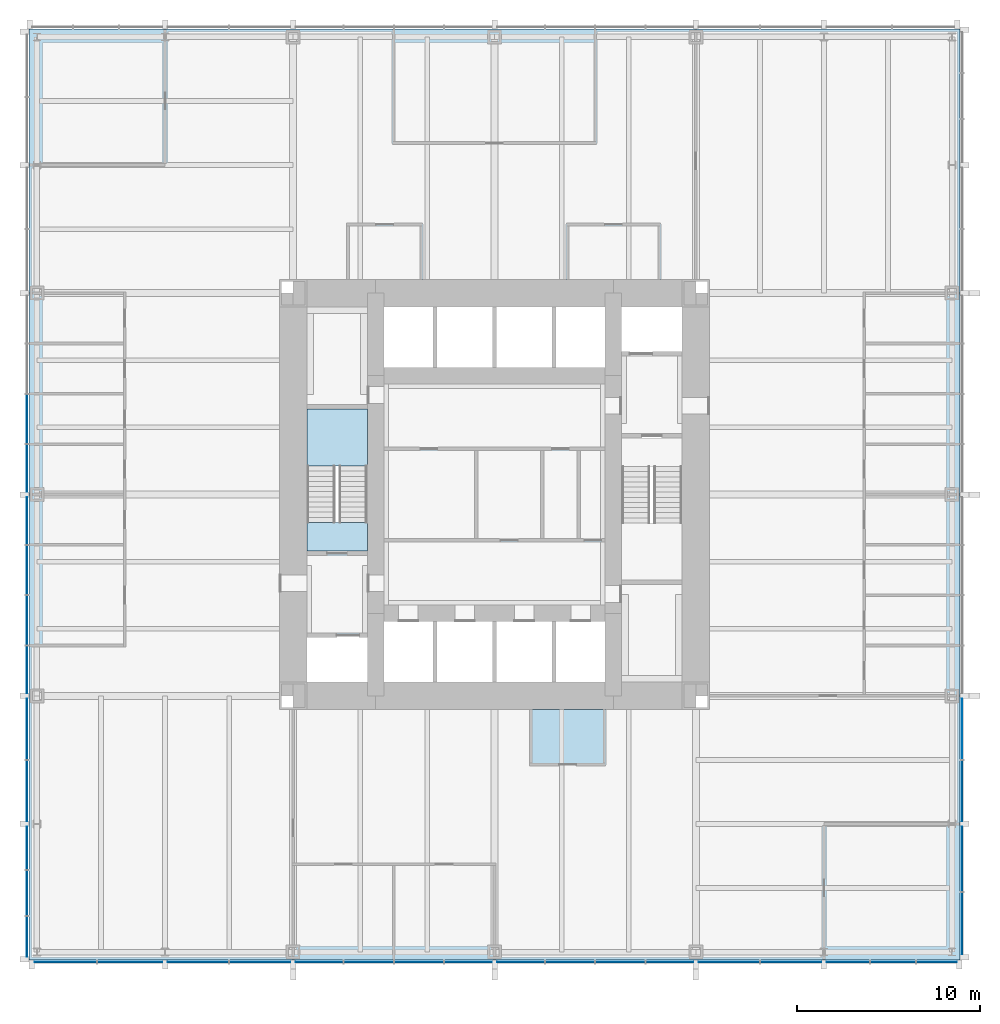
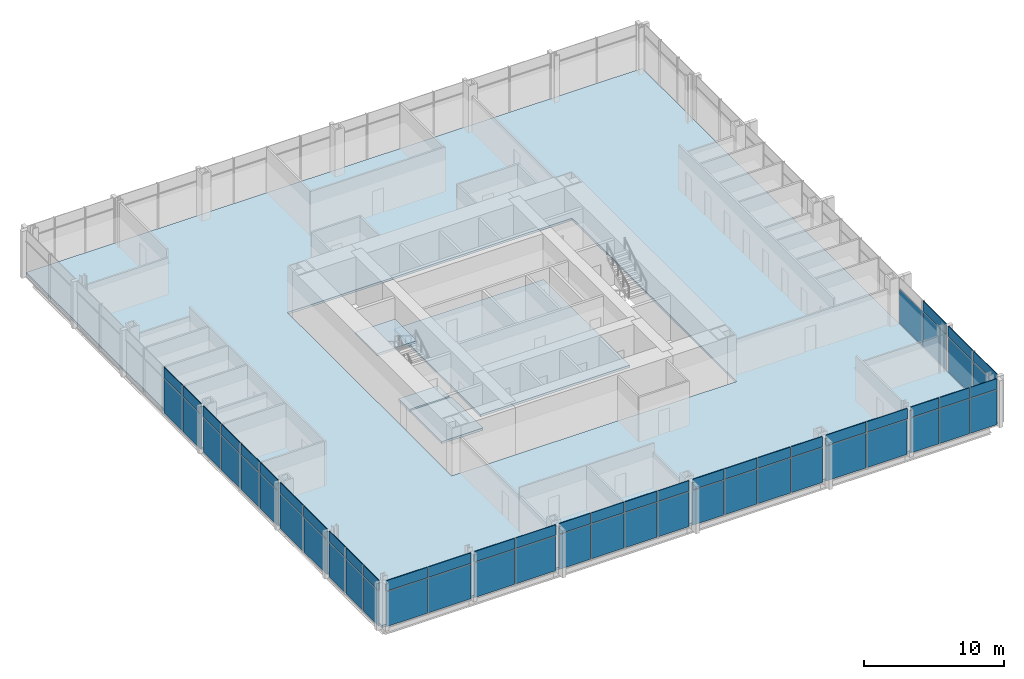
# One storey, part 7 of 13: 63 plates, 5 slabs, 4 elements without a shape of their own.
"""IFC4 building model written with IfcOpenShell, lengths in metres."""

import ifcopenshell
import ifcopenshell.guid

model = None  # the IFC model being written
_history = None  # IfcOwnerHistory: only IFC2X3 demands one
_inside = {}  # id of a spatial element -> (the spatial element, [elements in it])
_under = {}  # id of a project, library or spatial element -> (it, [spatial elements below it])
_declared = {}  # id of a project -> (the project, [libraries it declares])
_typed = {}  # id of a type object -> (the type object, [elements of that type])
_made_of = {}  # id of a material, layer set ... -> (it, [elements and type objects made of it])


def new_model(schema):
    """Start an empty IFC model of exactly this schema.

    Asked for "IFC4X3", IfcOpenShell would pick the latest addendum, in which some entities
    have other attributes; the version numbers below select the first issue.
    IFC2X3 requires an IfcOwnerHistory on every rooted entity: one is made here for all.
    """
    global model, _history
    if schema == "IFC4X3":
        model = ifcopenshell.file(schema_version=(4, 3, 0, 0))
    else:
        model = ifcopenshell.file(schema=schema)
    _inside.clear()
    _under.clear()
    _declared.clear()
    _typed.clear()
    _made_of.clear()
    _history = None
    if model.schema == "IFC2X3":
        org = make("IfcOrganization", Name="unknown")
        user = make(
            "IfcPersonAndOrganization",
            ThePerson=make("IfcPerson", FamilyName="unknown"),
            TheOrganization=org,
        )
        app = make(
            "IfcApplication",
            ApplicationDeveloper=org,
            Version="unknown",
            ApplicationFullName="unknown",
            ApplicationIdentifier="unknown",
        )
        _history = make(
            "IfcOwnerHistory",
            OwningUser=user,
            OwningApplication=app,
            ChangeAction="ADDED",
            CreationDate=0,
        )
    return model


def make(cls, **values):
    """One entity of the class cls with the attributes given. An attribute that is None is left unset."""
    return model.create_entity(
        cls, **{name: value for name, value in values.items() if value is not None}
    )


def rooted(cls, **values):
    """An entity with a GlobalId (a new one), such as an element, a storey or a relation."""
    return make(cls, GlobalId=ifcopenshell.guid.new(), OwnerHistory=_history, **values)


def si_unit(unit_type, name, prefix=None):
    """IfcSIUnit, for example si_unit("LENGTHUNIT", "METRE", prefix="MILLI")."""
    return make("IfcSIUnit", UnitType=unit_type, Prefix=prefix, Name=name)


def assignment(units):
    """IfcUnitAssignment: the units of a project."""
    return None if units is None else make("IfcUnitAssignment", Units=units)


def point(xyz):
    """IfcCartesianPoint."""
    return None if xyz is None else make("IfcCartesianPoint", Coordinates=xyz)


def direction(xyz):
    """IfcDirection."""
    return None if xyz is None else make("IfcDirection", DirectionRatios=xyz)


def frame(location, z_axis=None, x_axis=None):
    """IfcAxis2Placement3D, a coordinate frame: its origin and axes. An axis left out is left unset."""
    return make(
        "IfcAxis2Placement3D",
        Location=point(location),
        Axis=direction(z_axis),
        RefDirection=direction(x_axis),
    )


def frame_2d(location, x_axis=None):
    """IfcAxis2Placement2D, a coordinate frame in the plane: its origin and x axis."""
    return make(
        "IfcAxis2Placement2D", Location=point(location), RefDirection=direction(x_axis)
    )


def origin():
    """The frame at (0, 0, 0) with its axes left unset."""
    return frame((0.0, 0.0, 0.0))


def origin_2d():
    """The frame at (0, 0) in the plane with its x axis left unset."""
    return frame_2d((0.0, 0.0))


def place(relative_to, where):
    """IfcLocalPlacement: puts the frame where relative to a parent placement (None: the world)."""
    return make(
        "IfcLocalPlacement", PlacementRelTo=relative_to, RelativePlacement=where
    )


def context(
    kind, dimensions, precision=None, world=None, true_north=None, identifier=None
):
    """IfcGeometricRepresentationContext, for example the 3D "Model" context."""
    return make(
        "IfcGeometricRepresentationContext",
        ContextIdentifier=identifier,
        ContextType=kind,
        CoordinateSpaceDimension=dimensions,
        Precision=precision,
        WorldCoordinateSystem=world,
        TrueNorth=true_north,
    )


def subcontext(parent, identifier, kind, view, scale=None):
    """IfcGeometricRepresentationSubContext, for example "Body" below "Model"."""
    return make(
        "IfcGeometricRepresentationSubContext",
        ContextIdentifier=identifier,
        ContextType=kind,
        ParentContext=parent,
        TargetScale=scale,
        TargetView=view,
    )


def project(units=None, contexts=None):
    """IfcProject with its units and contexts."""
    return rooted(
        "IfcProject",
        Name="project",
        RepresentationContexts=contexts,
        UnitsInContext=assignment(units),
    )


def spatial(cls, under=None, at=None, **own):
    """A site, building, storey or space (cls), placed at a placement, below another one or the project."""
    s = rooted(cls, ObjectPlacement=at, **own)
    if under is not None:
        _under.setdefault(under.id(), (under, []))[1].append(s)
    return s


def polyline(points):
    """IfcPolyline through the points."""
    return make("IfcPolyline", Points=[point(p) for p in points])


def profile(cls, at=None, kind="AREA", **sizes):
    """A parametric profile (cls). Its sizes go by their IFC names, for example OverallWidth=200.0."""
    return make(cls, ProfileType=kind, Position=at, **sizes)


def rectangle(**sizes):
    """IfcRectangleProfileDef."""
    return profile("IfcRectangleProfileDef", **sizes)


def outline(outer, holes=None, kind="AREA"):
    """IfcArbitraryClosedProfileDef: a profile drawn as a closed curve; with holes, ...WithVoids."""
    if holes is None:
        return make("IfcArbitraryClosedProfileDef", ProfileType=kind, OuterCurve=outer)
    return make(
        "IfcArbitraryProfileDefWithVoids",
        ProfileType=kind,
        OuterCurve=outer,
        InnerCurves=holes,
    )


def extrude(swept, where, along, depth):
    """IfcExtrudedAreaSolid: the profile swept, set in the frame where, extruded along a direction by depth."""
    return make(
        "IfcExtrudedAreaSolid",
        SweptArea=swept,
        Position=where,
        ExtrudedDirection=direction(along),
        Depth=depth,
    )


def shape(context_of_items, identifier, shape_type, items):
    """IfcShapeRepresentation: the items that make up one representation, for example the "Body"."""
    return make(
        "IfcShapeRepresentation",
        ContextOfItems=context_of_items,
        RepresentationIdentifier=identifier,
        RepresentationType=shape_type,
        Items=items,
    )


def material(Name=None, Category=None):
    """IfcMaterial."""
    return make("IfcMaterial", Name=Name, Category=Category)


def layer(
    of_material, thickness, ventilated=None, Name=None, Category=None, Priority=None
):
    """IfcMaterialLayer: one layer of a wall or slab, of a material (None: an air gap)."""
    return make(
        "IfcMaterialLayer",
        Material=of_material,
        LayerThickness=thickness,
        IsVentilated=ventilated,
        Name=Name,
        Category=Category,
        Priority=Priority,
    )


def layer_set(layers, Name=None):
    """IfcMaterialLayerSet."""
    return make("IfcMaterialLayerSet", MaterialLayers=layers, LayerSetName=Name)


def made_of(thing, what):
    """Note that an element or type object is made of a material, layer set ...; save() writes the relation."""
    if what is not None:
        _made_of.setdefault(what.id(), (what, []))[1].append(thing)
    return thing


def type_object(cls, material=None, **own):
    """A type object (cls), such as IfcWallType, which elements share."""
    return made_of(rooted(cls, **own), material)


def element(
    cls,
    number,
    at=None,
    inside=None,
    cuts=None,
    type_object=None,
    material=None,
    context=None,
    identifier="Body",
    shape_type=None,
    held_by="IfcProductDefinitionShape",
    body=None,
    shapes=None,
    **own,
):
    """One element of the class cls, such as IfcWall. Its Tag is "e" and its number.

    at: its placement. inside: the storey or other place that contains it. cuts: it is an
    opening in that element (IfcRelVoidsElement). A single representation is given by context,
    identifier, shape_type and body (its items); several are given by shapes. held_by: the class
    of the entity that holds the representations. save() writes the other relations.
    """
    e = rooted(cls, Tag="e%d" % number, ObjectPlacement=at, **own)
    if body is not None:
        shapes = [shape(context, identifier, shape_type, body)]
    if shapes is not None:
        e.Representation = make(held_by, Representations=shapes)
    if inside is not None:
        _inside.setdefault(inside.id(), (inside, []))[1].append(e)
    if cuts is not None:
        rooted(
            "IfcRelVoidsElement", RelatingBuildingElement=cuts, RelatedOpeningElement=e
        )
    if type_object is not None:
        _typed.setdefault(type_object.id(), (type_object, []))[1].append(e)
    return made_of(e, material)


def aggregate(whole, parts):
    """IfcRelAggregates: a whole, such as a stair, and the parts it consists of."""
    return rooted("IfcRelAggregates", RelatingObject=whole, RelatedObjects=parts)


def save(model, path):
    """Write the relations noted so far, then the file.

    IfcRelAggregates (storeys below a building ...), IfcRelContainedInSpatialStructure (elements
    in a storey), IfcRelDefinesByType, IfcRelAssociatesMaterial and IfcRelDeclares: one each for
    every whole, place, type object, material and project.
    """
    for whole, parts in _under.values():
        aggregate(whole, parts)
    for where, things in _inside.values():
        rooted(
            "IfcRelContainedInSpatialStructure",
            RelatedElements=things,
            RelatingStructure=where,
        )
    for kind, things in _typed.values():
        rooted("IfcRelDefinesByType", RelatedObjects=things, RelatingType=kind)
    for what, things in _made_of.values():
        rooted("IfcRelAssociatesMaterial", RelatedObjects=things, RelatingMaterial=what)
    for by, libraries in _declared.values():
        rooted("IfcRelDeclares", RelatingContext=by, RelatedDefinitions=libraries)
    model.write(path)


model = new_model("IFC4")

# Units and contexts
model_context = context("Model", 3, precision=1e-05, world=origin(), true_north=direction((0.0, 1.0)))
body_context = subcontext(model_context, "Body", "Model", "MODEL_VIEW")
ifc_project = project(units=[si_unit("LENGTHUNIT", "METRE"), si_unit("AREAUNIT", "SQUARE_METRE"), si_unit("VOLUMEUNIT", "CUBIC_METRE"), si_unit("PLANEANGLEUNIT", "RADIAN"), si_unit("MASSUNIT", "GRAM", prefix="KILO")], contexts=[model_context])

# Site, building, storey
site_placement = place(None, origin())
site = spatial("IfcSite", under=ifc_project, at=site_placement, CompositionType="ELEMENT")
building_placement = place(site_placement, origin())
building = spatial("IfcBuilding", under=site, at=building_placement, Name="Trevanion Tower", CompositionType="ELEMENT")
storey_placement = place(building_placement, frame((0.0, 0.0, 81.60009765625)))
storey = spatial("IfcBuildingStorey", under=building, at=storey_placement, Name="L19", CompositionType="ELEMENT", Elevation=81.60009765625)

# Curtain wall, plates
ifc_material_1 = material(Name="Aluminium and glass", Category="aluminium")
curtain_wall_type = type_object("IfcCurtainWallType", Name="CW1 curtain wall", PredefinedType="USERDEFINED", material=ifc_material_1)
curtain_wall_1_placement = place(storey_placement, origin())
curtain_wall_1 = element("IfcCurtainWall", 1, at=curtain_wall_1_placement, inside=storey, type_object=curtain_wall_type, Name="CW1 L19 0", ObjectType="UNITISED CURTAIN WALL", PredefinedType="USERDEFINED")
ifc_material_2 = material(Name="Aluminium spandrel panel", Category="aluminium")
ifc_layer_1 = layer(ifc_material_2, 0.06005859375)
ifc_layer_set_1 = layer_set([ifc_layer_1], Name="CW1 spandrel panel")
plate_type_1 = type_object("IfcPlateType", Name="CW1 spandrel panel", PredefinedType="CURTAIN_PANEL", material=ifc_layer_set_1)
plate_1_placement = place(storey_placement, frame((25.550048828125, -23.433837890625, 2.997314453125), z_axis=(0.0, 0.0, 1.0), x_axis=(0.0, 1.0, 0.0)))
plate_1 = element("IfcPlate", 2, at=plate_1_placement, type_object=plate_type_1, Name="CW1 panel 1.2", PredefinedType="CURTAIN_PANEL", context=body_context, shape_type="SweptSolid", body=[
    extrude(rectangle(XDim=3.37255859375, YDim=0.06005859375, at=origin_2d()), origin(), (0.0, 0.0, 1.0), 0.91259765625),
])
plate_2_placement = place(storey_placement, frame((25.550048828125, -19.911376953125, 2.997314453125), z_axis=(0.0, 0.0, 1.0), x_axis=(0.0, 1.0, 0.0)))
plate_2 = element("IfcPlate", 3, at=plate_2_placement, type_object=plate_type_1, Name="CW1 panel 2.2", PredefinedType="CURTAIN_PANEL", context=body_context, shape_type="SweptSolid", body=[
    extrude(rectangle(XDim=3.5224609375, YDim=0.06005859375, at=origin_2d()), origin(), (0.0, 0.0, 1.0), 0.91259765625),
])
plate_3_placement = place(storey_placement, frame((25.550048828125, -16.19384765625, 2.997314453125), z_axis=(0.0, 0.0, 1.0), x_axis=(0.0, 1.0, 0.0)))
plate_3 = element("IfcPlate", 4, at=plate_3_placement, type_object=plate_type_1, Name="CW1 panel 3.2", PredefinedType="CURTAIN_PANEL", context=body_context, shape_type="SweptSolid", body=[
    extrude(rectangle(XDim=3.3125, YDim=0.06005859375, at=origin_2d()), origin(), (0.0, 0.0, 1.0), 0.91259765625),
])

curtain_wall_2_placement = place(storey_placement, origin())
curtain_wall_2 = element("IfcCurtainWall", 5, at=curtain_wall_2_placement, inside=storey, type_object=curtain_wall_type, Name="CW1 L19 2", ObjectType="UNITISED CURTAIN WALL", PredefinedType="USERDEFINED")
plate_4_placement = place(storey_placement, frame((-25.550048828125, 4.125, 2.997314453125), z_axis=(0.0, 0.0, 1.0), x_axis=(0.0, -1.0, 0.0)))
plate_4 = element("IfcPlate", 6, at=plate_4_placement, type_object=plate_type_1, Name="CW1 panel 7.2", PredefinedType="CURTAIN_PANEL", context=body_context, shape_type="SweptSolid", body=[
    extrude(rectangle(XDim=2.675048828125, YDim=0.06005859375, at=origin_2d()), origin(), (0.0, 0.0, 1.0), 0.91259765625),
])
plate_5_placement = place(storey_placement, frame((-25.550048828125, 1.43115234375, 2.997314453125), z_axis=(0.0, 0.0, 1.0), x_axis=(0.0, -1.0, 0.0)))
plate_5 = element("IfcPlate", 7, at=plate_5_placement, type_object=plate_type_1, Name="CW1 panel 8.2", PredefinedType="CURTAIN_PANEL", context=body_context, shape_type="SweptSolid", body=[
    extrude(rectangle(XDim=2.5625, YDim=0.06005859375, at=origin_2d()), origin(), (0.0, 0.0, 1.0), 0.91259765625),
])
plate_6_placement = place(storey_placement, frame((-25.550048828125, -1.43115234375, 2.997314453125), z_axis=(0.0, 0.0, 1.0), x_axis=(0.0, -1.0, 0.0)))
plate_6 = element("IfcPlate", 8, at=plate_6_placement, type_object=plate_type_1, Name="CW1 panel 9.2", PredefinedType="CURTAIN_PANEL", context=body_context, shape_type="SweptSolid", body=[
    extrude(rectangle(XDim=2.5625, YDim=0.06005859375, at=origin_2d()), origin(), (0.0, 0.0, 1.0), 0.91259765625),
])
plate_7_placement = place(storey_placement, frame((-25.550048828125, -4.125, 2.997314453125), z_axis=(0.0, 0.0, 1.0), x_axis=(0.0, -1.0, 0.0)))
plate_7 = element("IfcPlate", 9, at=plate_7_placement, type_object=plate_type_1, Name="CW1 panel 10.2", PredefinedType="CURTAIN_PANEL", context=body_context, shape_type="SweptSolid", body=[
    extrude(rectangle(XDim=2.675048828125, YDim=0.06005859375, at=origin_2d()), origin(), (0.0, 0.0, 1.0), 0.91259765625),
])
plate_8_placement = place(storey_placement, frame((-25.550048828125, -6.875, 2.997314453125), z_axis=(0.0, 0.0, 1.0), x_axis=(0.0, -1.0, 0.0)))
plate_8 = element("IfcPlate", 10, at=plate_8_placement, type_object=plate_type_1, Name="CW1 panel 11.2", PredefinedType="CURTAIN_PANEL", context=body_context, shape_type="SweptSolid", body=[
    extrude(rectangle(XDim=2.675048828125, YDim=0.06005859375, at=origin_2d()), origin(), (0.0, 0.0, 1.0), 0.91259765625),
])
plate_9_placement = place(storey_placement, frame((-25.550048828125, -9.56884765625, 2.997314453125), z_axis=(0.0, 0.0, 1.0), x_axis=(0.0, -1.0, 0.0)))
plate_9 = element("IfcPlate", 11, at=plate_9_placement, type_object=plate_type_1, Name="CW1 panel 12.2", PredefinedType="CURTAIN_PANEL", context=body_context, shape_type="SweptSolid", body=[
    extrude(rectangle(XDim=2.5625, YDim=0.06005859375, at=origin_2d()), origin(), (0.0, 0.0, 1.0), 0.91259765625),
])
plate_10_placement = place(storey_placement, frame((-25.550048828125, -12.80615234375, 2.997314453125), z_axis=(0.0, 0.0, 1.0), x_axis=(0.0, -1.0, 0.0)))
plate_10 = element("IfcPlate", 12, at=plate_10_placement, type_object=plate_type_1, Name="CW1 panel 13.2", PredefinedType="CURTAIN_PANEL", context=body_context, shape_type="SweptSolid", body=[
    extrude(rectangle(XDim=3.3125, YDim=0.06005859375, at=origin_2d()), origin(), (0.0, 0.0, 1.0), 0.91259765625),
])
plate_11_placement = place(storey_placement, frame((-25.550048828125, -16.19384765625, 2.997314453125), z_axis=(0.0, 0.0, 1.0), x_axis=(0.0, -1.0, 0.0)))
plate_11 = element("IfcPlate", 13, at=plate_11_placement, type_object=plate_type_1, Name="CW1 panel 14.2", PredefinedType="CURTAIN_PANEL", context=body_context, shape_type="SweptSolid", body=[
    extrude(rectangle(XDim=3.3125, YDim=0.06005859375, at=origin_2d()), origin(), (0.0, 0.0, 1.0), 0.91259765625),
])
plate_12_placement = place(storey_placement, frame((-25.550048828125, -19.314697265625, 2.997314453125), z_axis=(0.0, 0.0, 1.0), x_axis=(0.0, -1.0, 0.0)))
plate_12 = element("IfcPlate", 14, at=plate_12_placement, type_object=plate_type_1, Name="CW1 panel 15.2", PredefinedType="CURTAIN_PANEL", context=body_context, shape_type="SweptSolid", body=[
    extrude(rectangle(XDim=2.3291015625, YDim=0.06005859375, at=origin_2d()), origin(), (0.0, 0.0, 1.0), 0.91259765625),
])
plate_13_placement = place(storey_placement, frame((-25.550048828125, -21.77490234375, 2.997314453125), z_axis=(0.0, 0.0, 1.0), x_axis=(0.0, -1.0, 0.0)))
plate_13 = element("IfcPlate", 15, at=plate_13_placement, type_object=plate_type_1, Name="CW1 panel 16.2", PredefinedType="CURTAIN_PANEL", context=body_context, shape_type="SweptSolid", body=[
    extrude(rectangle(XDim=2.441650390625, YDim=0.06005859375, at=origin_2d()), origin(), (0.0, 0.0, 1.0), 0.91259765625),
])
plate_14_placement = place(storey_placement, frame((-25.550048828125, -24.160400390625, 2.997314453125), z_axis=(0.0, 0.0, 1.0), x_axis=(0.0, -1.0, 0.0)))
plate_14 = element("IfcPlate", 16, at=plate_14_placement, type_object=plate_type_1, Name="CW1 panel 17.2", PredefinedType="CURTAIN_PANEL", context=body_context, shape_type="SweptSolid", body=[
    extrude(rectangle(XDim=2.17919921875, YDim=0.06005859375, at=origin_2d()), origin(), (0.0, 0.0, 1.0), 0.91259765625),
])

curtain_wall_3_placement = place(storey_placement, origin())
curtain_wall_3 = element("IfcCurtainWall", 17, at=curtain_wall_3_placement, inside=storey, type_object=curtain_wall_type, Name="CW1 L19 3", ObjectType="UNITISED CURTAIN WALL", PredefinedType="USERDEFINED")
plate_15_placement = place(storey_placement, frame((-23.433837890625, -25.550048828125, 2.997314453125), z_axis=(0.0, 0.0, 1.0), x_axis=(1.0, 0.0, 0.0)))
plate_15 = element("IfcPlate", 18, at=plate_15_placement, type_object=plate_type_1, Name="CW1 panel 1.2", PredefinedType="CURTAIN_PANEL", context=body_context, shape_type="SweptSolid", body=[
    extrude(rectangle(XDim=3.37255859375, YDim=0.06005859375, at=origin_2d()), origin(), (0.0, 0.0, 1.0), 0.91259765625),
])
plate_16_placement = place(storey_placement, frame((-19.911376953125, -25.550048828125, 2.997314453125), z_axis=(0.0, 0.0, 1.0), x_axis=(1.0, 0.0, 0.0)))
plate_16 = element("IfcPlate", 19, at=plate_16_placement, type_object=plate_type_1, Name="CW1 panel 2.2", PredefinedType="CURTAIN_PANEL", context=body_context, shape_type="SweptSolid", body=[
    extrude(rectangle(XDim=3.5224609375, YDim=0.06005859375, at=origin_2d()), origin(), (0.0, 0.0, 1.0), 0.91259765625),
])
plate_17_placement = place(storey_placement, frame((-16.19384765625, -25.550048828125, 2.997314453125), z_axis=(0.0, 0.0, 1.0), x_axis=(1.0, 0.0, 0.0)))
plate_17 = element("IfcPlate", 20, at=plate_17_placement, type_object=plate_type_1, Name="CW1 panel 3.2", PredefinedType="CURTAIN_PANEL", context=body_context, shape_type="SweptSolid", body=[
    extrude(rectangle(XDim=3.3125, YDim=0.06005859375, at=origin_2d()), origin(), (0.0, 0.0, 1.0), 0.91259765625),
])
plate_18_placement = place(storey_placement, frame((-12.806396484375, -25.550048828125, 2.997314453125), z_axis=(0.0, 0.0, 1.0), x_axis=(1.0, 0.0, 0.0)))
plate_18 = element("IfcPlate", 21, at=plate_18_placement, type_object=plate_type_1, Name="CW1 panel 4.2", PredefinedType="CURTAIN_PANEL", context=body_context, shape_type="SweptSolid", body=[
    extrude(rectangle(XDim=3.3125, YDim=0.06005859375, at=origin_2d()), origin(), (0.0, 0.0, 1.0), 0.91259765625),
])
plate_19_placement = place(storey_placement, frame((-9.56884765625, -25.550048828125, 2.997314453125), z_axis=(0.0, 0.0, 1.0), x_axis=(1.0, 0.0, 0.0)))
plate_19 = element("IfcPlate", 22, at=plate_19_placement, type_object=plate_type_1, Name="CW1 panel 5.2", PredefinedType="CURTAIN_PANEL", context=body_context, shape_type="SweptSolid", body=[
    extrude(rectangle(XDim=2.5625, YDim=0.06005859375, at=origin_2d()), origin(), (0.0, 0.0, 1.0), 0.91259765625),
])
plate_20_placement = place(storey_placement, frame((-6.875, -25.550048828125, 2.997314453125), z_axis=(0.0, 0.0, 1.0), x_axis=(1.0, 0.0, 0.0)))
plate_20 = element("IfcPlate", 23, at=plate_20_placement, type_object=plate_type_1, Name="CW1 panel 6.2", PredefinedType="CURTAIN_PANEL", context=body_context, shape_type="SweptSolid", body=[
    extrude(rectangle(XDim=2.675048828125, YDim=0.06005859375, at=origin_2d()), origin(), (0.0, 0.0, 1.0), 0.91259765625),
])
plate_21_placement = place(storey_placement, frame((-4.125, -25.550048828125, 2.997314453125), z_axis=(0.0, 0.0, 1.0), x_axis=(1.0, 0.0, 0.0)))
plate_21 = element("IfcPlate", 24, at=plate_21_placement, type_object=plate_type_1, Name="CW1 panel 7.2", PredefinedType="CURTAIN_PANEL", context=body_context, shape_type="SweptSolid", body=[
    extrude(rectangle(XDim=2.675048828125, YDim=0.06005859375, at=origin_2d()), origin(), (0.0, 0.0, 1.0), 0.91259765625),
])
plate_22_placement = place(storey_placement, frame((-1.43115234375, -25.550048828125, 2.997314453125), z_axis=(0.0, 0.0, 1.0), x_axis=(1.0, 0.0, 0.0)))
plate_22 = element("IfcPlate", 25, at=plate_22_placement, type_object=plate_type_1, Name="CW1 panel 8.2", PredefinedType="CURTAIN_PANEL", context=body_context, shape_type="SweptSolid", body=[
    extrude(rectangle(XDim=2.5625, YDim=0.06005859375, at=origin_2d()), origin(), (0.0, 0.0, 1.0), 0.91259765625),
])
plate_23_placement = place(storey_placement, frame((1.43115234375, -25.550048828125, 2.997314453125), z_axis=(0.0, 0.0, 1.0), x_axis=(1.0, 0.0, 0.0)))
plate_23 = element("IfcPlate", 26, at=plate_23_placement, type_object=plate_type_1, Name="CW1 panel 9.2", PredefinedType="CURTAIN_PANEL", context=body_context, shape_type="SweptSolid", body=[
    extrude(rectangle(XDim=2.5625, YDim=0.06005859375, at=origin_2d()), origin(), (0.0, 0.0, 1.0), 0.91259765625),
])
plate_24_placement = place(storey_placement, frame((4.125, -25.550048828125, 2.997314453125), z_axis=(0.0, 0.0, 1.0), x_axis=(1.0, 0.0, 0.0)))
plate_24 = element("IfcPlate", 27, at=plate_24_placement, type_object=plate_type_1, Name="CW1 panel 10.2", PredefinedType="CURTAIN_PANEL", context=body_context, shape_type="SweptSolid", body=[
    extrude(rectangle(XDim=2.675048828125, YDim=0.06005859375, at=origin_2d()), origin(), (0.0, 0.0, 1.0), 0.91259765625),
])
plate_25_placement = place(storey_placement, frame((6.875, -25.550048828125, 2.997314453125), z_axis=(0.0, 0.0, 1.0), x_axis=(1.0, 0.0, 0.0)))
plate_25 = element("IfcPlate", 28, at=plate_25_placement, type_object=plate_type_1, Name="CW1 panel 11.2", PredefinedType="CURTAIN_PANEL", context=body_context, shape_type="SweptSolid", body=[
    extrude(rectangle(XDim=2.675048828125, YDim=0.06005859375, at=origin_2d()), origin(), (0.0, 0.0, 1.0), 0.91259765625),
])
plate_26_placement = place(storey_placement, frame((9.56884765625, -25.550048828125, 2.997314453125), z_axis=(0.0, 0.0, 1.0), x_axis=(1.0, 0.0, 0.0)))
plate_26 = element("IfcPlate", 29, at=plate_26_placement, type_object=plate_type_1, Name="CW1 panel 12.2", PredefinedType="CURTAIN_PANEL", context=body_context, shape_type="SweptSolid", body=[
    extrude(rectangle(XDim=2.5625, YDim=0.06005859375, at=origin_2d()), origin(), (0.0, 0.0, 1.0), 0.91259765625),
])
plate_27_placement = place(storey_placement, frame((12.80615234375, -25.550048828125, 2.997314453125), z_axis=(0.0, 0.0, 1.0), x_axis=(1.0, 0.0, 0.0)))
plate_27 = element("IfcPlate", 30, at=plate_27_placement, type_object=plate_type_1, Name="CW1 panel 13.2", PredefinedType="CURTAIN_PANEL", context=body_context, shape_type="SweptSolid", body=[
    extrude(rectangle(XDim=3.3125, YDim=0.06005859375, at=origin_2d()), origin(), (0.0, 0.0, 1.0), 0.91259765625),
])
plate_28_placement = place(storey_placement, frame((16.19384765625, -25.550048828125, 2.997314453125), z_axis=(0.0, 0.0, 1.0), x_axis=(1.0, 0.0, 0.0)))
plate_28 = element("IfcPlate", 31, at=plate_28_placement, type_object=plate_type_1, Name="CW1 panel 14.2", PredefinedType="CURTAIN_PANEL", context=body_context, shape_type="SweptSolid", body=[
    extrude(rectangle(XDim=3.3125, YDim=0.06005859375, at=origin_2d()), origin(), (0.0, 0.0, 1.0), 0.91259765625),
])
plate_29_placement = place(storey_placement, frame((19.314697265625, -25.550048828125, 2.997314453125), z_axis=(0.0, 0.0, 1.0), x_axis=(1.0, 0.0, 0.0)))
plate_29 = element("IfcPlate", 32, at=plate_29_placement, type_object=plate_type_1, Name="CW1 panel 15.2", PredefinedType="CURTAIN_PANEL", context=body_context, shape_type="SweptSolid", body=[
    extrude(rectangle(XDim=2.3291015625, YDim=0.06005859375, at=origin_2d()), origin(), (0.0, 0.0, 1.0), 0.91259765625),
])
plate_30_placement = place(storey_placement, frame((21.77490234375, -25.550048828125, 2.997314453125), z_axis=(0.0, 0.0, 1.0), x_axis=(1.0, 0.0, 0.0)))
plate_30 = element("IfcPlate", 33, at=plate_30_placement, type_object=plate_type_1, Name="CW1 panel 16.2", PredefinedType="CURTAIN_PANEL", context=body_context, shape_type="SweptSolid", body=[
    extrude(rectangle(XDim=2.441650390625, YDim=0.06005859375, at=origin_2d()), origin(), (0.0, 0.0, 1.0), 0.91259765625),
])
plate_31_placement = place(storey_placement, frame((24.160400390625, -25.550048828125, 2.997314453125), z_axis=(0.0, 0.0, 1.0), x_axis=(1.0, 0.0, 0.0)))
plate_31 = element("IfcPlate", 34, at=plate_31_placement, type_object=plate_type_1, Name="CW1 panel 17.2", PredefinedType="CURTAIN_PANEL", context=body_context, shape_type="SweptSolid", body=[
    extrude(rectangle(XDim=2.17919921875, YDim=0.06005859375, at=origin_2d()), origin(), (0.0, 0.0, 1.0), 0.91259765625),
])

# Plate
ifc_material_3 = material(Name="Insulating glass unit", Category="glass")
ifc_layer_2 = layer(ifc_material_3, 0.028076171875)
ifc_layer_set_2 = layer_set([ifc_layer_2], Name="CW1 vision panel")
plate_type_2 = type_object("IfcPlateType", Name="CW1 vision panel", PredefinedType="CURTAIN_PANEL", material=ifc_layer_set_2)
plate_32_placement = place(storey_placement, frame((25.550048828125, -23.433837890625, -0.115234375), z_axis=(0.0, 0.0, 1.0), x_axis=(0.0, 1.0, 0.0)))
plate_32 = element("IfcPlate", 35, at=plate_32_placement, type_object=plate_type_2, Name="CW1 panel 1.1", PredefinedType="CURTAIN_PANEL", context=body_context, shape_type="SweptSolid", body=[
    extrude(rectangle(XDim=3.37255859375, YDim=0.028076171875, at=origin_2d()), origin(), (0.0, 0.0, 1.0), 3.03759765625),
])

plate_33_placement = place(storey_placement, frame((25.550048828125, -19.911376953125, -0.115234375), z_axis=(0.0, 0.0, 1.0), x_axis=(0.0, 1.0, 0.0)))
plate_33 = element("IfcPlate", 36, at=plate_33_placement, type_object=plate_type_2, Name="CW1 panel 2.1", PredefinedType="CURTAIN_PANEL", context=body_context, shape_type="SweptSolid", body=[
    extrude(rectangle(XDim=3.5224609375, YDim=0.028076171875, at=origin_2d()), origin(), (0.0, 0.0, 1.0), 3.03759765625),
])

plate_34_placement = place(storey_placement, frame((25.550048828125, -16.19384765625, -0.115234375), z_axis=(0.0, 0.0, 1.0), x_axis=(0.0, 1.0, 0.0)))
plate_34 = element("IfcPlate", 37, at=plate_34_placement, type_object=plate_type_2, Name="CW1 panel 3.1", PredefinedType="CURTAIN_PANEL", context=body_context, shape_type="SweptSolid", body=[
    extrude(rectangle(XDim=3.3125, YDim=0.028076171875, at=origin_2d()), origin(), (0.0, 0.0, 1.0), 3.03759765625),
])

plate_35_placement = place(storey_placement, frame((25.550048828125, -12.806396484375, -0.115234375), z_axis=(0.0, 0.0, 1.0), x_axis=(0.0, 1.0, 0.0)))
plate_35 = element("IfcPlate", 38, at=plate_35_placement, type_object=plate_type_2, Name="CW1 panel 4.1", PredefinedType="CURTAIN_PANEL", context=body_context, shape_type="SweptSolid", body=[
    extrude(rectangle(XDim=3.3125, YDim=0.028076171875, at=origin_2d()), origin(), (0.0, 0.0, 1.0), 3.03759765625),
])

aggregate(curtain_wall_1, [plate_32, plate_1, plate_33, plate_2, plate_34, plate_3, plate_35])

plate_36_placement = place(storey_placement, frame((-25.550048828125, 4.125, -0.115234375), z_axis=(0.0, 0.0, 1.0), x_axis=(0.0, -1.0, 0.0)))
plate_36 = element("IfcPlate", 39, at=plate_36_placement, type_object=plate_type_2, Name="CW1 panel 7.1", PredefinedType="CURTAIN_PANEL", context=body_context, shape_type="SweptSolid", body=[
    extrude(rectangle(XDim=2.675048828125, YDim=0.028076171875, at=origin_2d()), origin(), (0.0, 0.0, 1.0), 3.03759765625),
])

plate_37_placement = place(storey_placement, frame((-25.550048828125, 1.43115234375, -0.115234375), z_axis=(0.0, 0.0, 1.0), x_axis=(0.0, -1.0, 0.0)))
plate_37 = element("IfcPlate", 40, at=plate_37_placement, type_object=plate_type_2, Name="CW1 panel 8.1", PredefinedType="CURTAIN_PANEL", context=body_context, shape_type="SweptSolid", body=[
    extrude(rectangle(XDim=2.5625, YDim=0.028076171875, at=origin_2d()), origin(), (0.0, 0.0, 1.0), 3.03759765625),
])

plate_38_placement = place(storey_placement, frame((-25.550048828125, -1.43115234375, -0.115234375), z_axis=(0.0, 0.0, 1.0), x_axis=(0.0, -1.0, 0.0)))
plate_38 = element("IfcPlate", 41, at=plate_38_placement, type_object=plate_type_2, Name="CW1 panel 9.1", PredefinedType="CURTAIN_PANEL", context=body_context, shape_type="SweptSolid", body=[
    extrude(rectangle(XDim=2.5625, YDim=0.028076171875, at=origin_2d()), origin(), (0.0, 0.0, 1.0), 3.03759765625),
])

plate_39_placement = place(storey_placement, frame((-25.550048828125, -4.125, -0.115234375), z_axis=(0.0, 0.0, 1.0), x_axis=(0.0, -1.0, 0.0)))
plate_39 = element("IfcPlate", 42, at=plate_39_placement, type_object=plate_type_2, Name="CW1 panel 10.1", PredefinedType="CURTAIN_PANEL", context=body_context, shape_type="SweptSolid", body=[
    extrude(rectangle(XDim=2.675048828125, YDim=0.028076171875, at=origin_2d()), origin(), (0.0, 0.0, 1.0), 3.03759765625),
])

plate_40_placement = place(storey_placement, frame((-25.550048828125, -6.875, -0.115234375), z_axis=(0.0, 0.0, 1.0), x_axis=(0.0, -1.0, 0.0)))
plate_40 = element("IfcPlate", 43, at=plate_40_placement, type_object=plate_type_2, Name="CW1 panel 11.1", PredefinedType="CURTAIN_PANEL", context=body_context, shape_type="SweptSolid", body=[
    extrude(rectangle(XDim=2.675048828125, YDim=0.028076171875, at=origin_2d()), origin(), (0.0, 0.0, 1.0), 3.03759765625),
])

plate_41_placement = place(storey_placement, frame((-25.550048828125, -9.56884765625, -0.115234375), z_axis=(0.0, 0.0, 1.0), x_axis=(0.0, -1.0, 0.0)))
plate_41 = element("IfcPlate", 44, at=plate_41_placement, type_object=plate_type_2, Name="CW1 panel 12.1", PredefinedType="CURTAIN_PANEL", context=body_context, shape_type="SweptSolid", body=[
    extrude(rectangle(XDim=2.5625, YDim=0.028076171875, at=origin_2d()), origin(), (0.0, 0.0, 1.0), 3.03759765625),
])

plate_42_placement = place(storey_placement, frame((-25.550048828125, -12.80615234375, -0.115234375), z_axis=(0.0, 0.0, 1.0), x_axis=(0.0, -1.0, 0.0)))
plate_42 = element("IfcPlate", 45, at=plate_42_placement, type_object=plate_type_2, Name="CW1 panel 13.1", PredefinedType="CURTAIN_PANEL", context=body_context, shape_type="SweptSolid", body=[
    extrude(rectangle(XDim=3.3125, YDim=0.028076171875, at=origin_2d()), origin(), (0.0, 0.0, 1.0), 3.03759765625),
])

plate_43_placement = place(storey_placement, frame((-25.550048828125, -16.19384765625, -0.115234375), z_axis=(0.0, 0.0, 1.0), x_axis=(0.0, -1.0, 0.0)))
plate_43 = element("IfcPlate", 46, at=plate_43_placement, type_object=plate_type_2, Name="CW1 panel 14.1", PredefinedType="CURTAIN_PANEL", context=body_context, shape_type="SweptSolid", body=[
    extrude(rectangle(XDim=3.3125, YDim=0.028076171875, at=origin_2d()), origin(), (0.0, 0.0, 1.0), 3.03759765625),
])

plate_44_placement = place(storey_placement, frame((-25.550048828125, -19.314697265625, -0.115234375), z_axis=(0.0, 0.0, 1.0), x_axis=(0.0, -1.0, 0.0)))
plate_44 = element("IfcPlate", 47, at=plate_44_placement, type_object=plate_type_2, Name="CW1 panel 15.1", PredefinedType="CURTAIN_PANEL", context=body_context, shape_type="SweptSolid", body=[
    extrude(rectangle(XDim=2.3291015625, YDim=0.028076171875, at=origin_2d()), origin(), (0.0, 0.0, 1.0), 3.03759765625),
])

plate_45_placement = place(storey_placement, frame((-25.550048828125, -21.77490234375, -0.115234375), z_axis=(0.0, 0.0, 1.0), x_axis=(0.0, -1.0, 0.0)))
plate_45 = element("IfcPlate", 48, at=plate_45_placement, type_object=plate_type_2, Name="CW1 panel 16.1", PredefinedType="CURTAIN_PANEL", context=body_context, shape_type="SweptSolid", body=[
    extrude(rectangle(XDim=2.441650390625, YDim=0.028076171875, at=origin_2d()), origin(), (0.0, 0.0, 1.0), 3.03759765625),
])

plate_46_placement = place(storey_placement, frame((-25.550048828125, -24.160400390625, -0.115234375), z_axis=(0.0, 0.0, 1.0), x_axis=(0.0, -1.0, 0.0)))
plate_46 = element("IfcPlate", 49, at=plate_46_placement, type_object=plate_type_2, Name="CW1 panel 17.1", PredefinedType="CURTAIN_PANEL", context=body_context, shape_type="SweptSolid", body=[
    extrude(rectangle(XDim=2.17919921875, YDim=0.028076171875, at=origin_2d()), origin(), (0.0, 0.0, 1.0), 3.03759765625),
])

aggregate(curtain_wall_2, [plate_36, plate_4, plate_37, plate_5, plate_38, plate_6, plate_39, plate_7, plate_40, plate_8, plate_41, plate_9, plate_42, plate_10, plate_43, plate_11, plate_44, plate_12, plate_45, plate_13, plate_46, plate_14])

plate_47_placement = place(storey_placement, frame((-23.433837890625, -25.550048828125, -0.115234375), z_axis=(0.0, 0.0, 1.0), x_axis=(1.0, 0.0, 0.0)))
plate_47 = element("IfcPlate", 50, at=plate_47_placement, type_object=plate_type_2, Name="CW1 panel 1.1", PredefinedType="CURTAIN_PANEL", context=body_context, shape_type="SweptSolid", body=[
    extrude(rectangle(XDim=3.37255859375, YDim=0.028076171875, at=origin_2d()), origin(), (0.0, 0.0, 1.0), 3.03759765625),
])

plate_48_placement = place(storey_placement, frame((-19.911376953125, -25.550048828125, -0.115234375), z_axis=(0.0, 0.0, 1.0), x_axis=(1.0, 0.0, 0.0)))
plate_48 = element("IfcPlate", 51, at=plate_48_placement, type_object=plate_type_2, Name="CW1 panel 2.1", PredefinedType="CURTAIN_PANEL", context=body_context, shape_type="SweptSolid", body=[
    extrude(rectangle(XDim=3.5224609375, YDim=0.028076171875, at=origin_2d()), origin(), (0.0, 0.0, 1.0), 3.03759765625),
])

plate_49_placement = place(storey_placement, frame((-16.19384765625, -25.550048828125, -0.115234375), z_axis=(0.0, 0.0, 1.0), x_axis=(1.0, 0.0, 0.0)))
plate_49 = element("IfcPlate", 52, at=plate_49_placement, type_object=plate_type_2, Name="CW1 panel 3.1", PredefinedType="CURTAIN_PANEL", context=body_context, shape_type="SweptSolid", body=[
    extrude(rectangle(XDim=3.3125, YDim=0.028076171875, at=origin_2d()), origin(), (0.0, 0.0, 1.0), 3.03759765625),
])

plate_50_placement = place(storey_placement, frame((-12.806396484375, -25.550048828125, -0.115234375), z_axis=(0.0, 0.0, 1.0), x_axis=(1.0, 0.0, 0.0)))
plate_50 = element("IfcPlate", 53, at=plate_50_placement, type_object=plate_type_2, Name="CW1 panel 4.1", PredefinedType="CURTAIN_PANEL", context=body_context, shape_type="SweptSolid", body=[
    extrude(rectangle(XDim=3.3125, YDim=0.028076171875, at=origin_2d()), origin(), (0.0, 0.0, 1.0), 3.03759765625),
])

plate_51_placement = place(storey_placement, frame((-9.56884765625, -25.550048828125, -0.115234375), z_axis=(0.0, 0.0, 1.0), x_axis=(1.0, 0.0, 0.0)))
plate_51 = element("IfcPlate", 54, at=plate_51_placement, type_object=plate_type_2, Name="CW1 panel 5.1", PredefinedType="CURTAIN_PANEL", context=body_context, shape_type="SweptSolid", body=[
    extrude(rectangle(XDim=2.5625, YDim=0.028076171875, at=origin_2d()), origin(), (0.0, 0.0, 1.0), 3.03759765625),
])

plate_52_placement = place(storey_placement, frame((-6.875, -25.550048828125, -0.115234375), z_axis=(0.0, 0.0, 1.0), x_axis=(1.0, 0.0, 0.0)))
plate_52 = element("IfcPlate", 55, at=plate_52_placement, type_object=plate_type_2, Name="CW1 panel 6.1", PredefinedType="CURTAIN_PANEL", context=body_context, shape_type="SweptSolid", body=[
    extrude(rectangle(XDim=2.675048828125, YDim=0.028076171875, at=origin_2d()), origin(), (0.0, 0.0, 1.0), 3.03759765625),
])

plate_53_placement = place(storey_placement, frame((-4.125, -25.550048828125, -0.115234375), z_axis=(0.0, 0.0, 1.0), x_axis=(1.0, 0.0, 0.0)))
plate_53 = element("IfcPlate", 56, at=plate_53_placement, type_object=plate_type_2, Name="CW1 panel 7.1", PredefinedType="CURTAIN_PANEL", context=body_context, shape_type="SweptSolid", body=[
    extrude(rectangle(XDim=2.675048828125, YDim=0.028076171875, at=origin_2d()), origin(), (0.0, 0.0, 1.0), 3.03759765625),
])

plate_54_placement = place(storey_placement, frame((-1.43115234375, -25.550048828125, -0.115234375), z_axis=(0.0, 0.0, 1.0), x_axis=(1.0, 0.0, 0.0)))
plate_54 = element("IfcPlate", 57, at=plate_54_placement, type_object=plate_type_2, Name="CW1 panel 8.1", PredefinedType="CURTAIN_PANEL", context=body_context, shape_type="SweptSolid", body=[
    extrude(rectangle(XDim=2.5625, YDim=0.028076171875, at=origin_2d()), origin(), (0.0, 0.0, 1.0), 3.03759765625),
])

plate_55_placement = place(storey_placement, frame((1.43115234375, -25.550048828125, -0.115234375), z_axis=(0.0, 0.0, 1.0), x_axis=(1.0, 0.0, 0.0)))
plate_55 = element("IfcPlate", 58, at=plate_55_placement, type_object=plate_type_2, Name="CW1 panel 9.1", PredefinedType="CURTAIN_PANEL", context=body_context, shape_type="SweptSolid", body=[
    extrude(rectangle(XDim=2.5625, YDim=0.028076171875, at=origin_2d()), origin(), (0.0, 0.0, 1.0), 3.03759765625),
])

plate_56_placement = place(storey_placement, frame((4.125, -25.550048828125, -0.115234375), z_axis=(0.0, 0.0, 1.0), x_axis=(1.0, 0.0, 0.0)))
plate_56 = element("IfcPlate", 59, at=plate_56_placement, type_object=plate_type_2, Name="CW1 panel 10.1", PredefinedType="CURTAIN_PANEL", context=body_context, shape_type="SweptSolid", body=[
    extrude(rectangle(XDim=2.675048828125, YDim=0.028076171875, at=origin_2d()), origin(), (0.0, 0.0, 1.0), 3.03759765625),
])

plate_57_placement = place(storey_placement, frame((6.875, -25.550048828125, -0.115234375), z_axis=(0.0, 0.0, 1.0), x_axis=(1.0, 0.0, 0.0)))
plate_57 = element("IfcPlate", 60, at=plate_57_placement, type_object=plate_type_2, Name="CW1 panel 11.1", PredefinedType="CURTAIN_PANEL", context=body_context, shape_type="SweptSolid", body=[
    extrude(rectangle(XDim=2.675048828125, YDim=0.028076171875, at=origin_2d()), origin(), (0.0, 0.0, 1.0), 3.03759765625),
])

plate_58_placement = place(storey_placement, frame((9.56884765625, -25.550048828125, -0.115234375), z_axis=(0.0, 0.0, 1.0), x_axis=(1.0, 0.0, 0.0)))
plate_58 = element("IfcPlate", 61, at=plate_58_placement, type_object=plate_type_2, Name="CW1 panel 12.1", PredefinedType="CURTAIN_PANEL", context=body_context, shape_type="SweptSolid", body=[
    extrude(rectangle(XDim=2.5625, YDim=0.028076171875, at=origin_2d()), origin(), (0.0, 0.0, 1.0), 3.03759765625),
])

plate_59_placement = place(storey_placement, frame((12.80615234375, -25.550048828125, -0.115234375), z_axis=(0.0, 0.0, 1.0), x_axis=(1.0, 0.0, 0.0)))
plate_59 = element("IfcPlate", 62, at=plate_59_placement, type_object=plate_type_2, Name="CW1 panel 13.1", PredefinedType="CURTAIN_PANEL", context=body_context, shape_type="SweptSolid", body=[
    extrude(rectangle(XDim=3.3125, YDim=0.028076171875, at=origin_2d()), origin(), (0.0, 0.0, 1.0), 3.03759765625),
])

plate_60_placement = place(storey_placement, frame((16.19384765625, -25.550048828125, -0.115234375), z_axis=(0.0, 0.0, 1.0), x_axis=(1.0, 0.0, 0.0)))
plate_60 = element("IfcPlate", 63, at=plate_60_placement, type_object=plate_type_2, Name="CW1 panel 14.1", PredefinedType="CURTAIN_PANEL", context=body_context, shape_type="SweptSolid", body=[
    extrude(rectangle(XDim=3.3125, YDim=0.028076171875, at=origin_2d()), origin(), (0.0, 0.0, 1.0), 3.03759765625),
])

plate_61_placement = place(storey_placement, frame((19.314697265625, -25.550048828125, -0.115234375), z_axis=(0.0, 0.0, 1.0), x_axis=(1.0, 0.0, 0.0)))
plate_61 = element("IfcPlate", 64, at=plate_61_placement, type_object=plate_type_2, Name="CW1 panel 15.1", PredefinedType="CURTAIN_PANEL", context=body_context, shape_type="SweptSolid", body=[
    extrude(rectangle(XDim=2.3291015625, YDim=0.028076171875, at=origin_2d()), origin(), (0.0, 0.0, 1.0), 3.03759765625),
])

plate_62_placement = place(storey_placement, frame((21.77490234375, -25.550048828125, -0.115234375), z_axis=(0.0, 0.0, 1.0), x_axis=(1.0, 0.0, 0.0)))
plate_62 = element("IfcPlate", 65, at=plate_62_placement, type_object=plate_type_2, Name="CW1 panel 16.1", PredefinedType="CURTAIN_PANEL", context=body_context, shape_type="SweptSolid", body=[
    extrude(rectangle(XDim=2.441650390625, YDim=0.028076171875, at=origin_2d()), origin(), (0.0, 0.0, 1.0), 3.03759765625),
])

plate_63_placement = place(storey_placement, frame((24.160400390625, -25.550048828125, -0.115234375), z_axis=(0.0, 0.0, 1.0), x_axis=(1.0, 0.0, 0.0)))
plate_63 = element("IfcPlate", 66, at=plate_63_placement, type_object=plate_type_2, Name="CW1 panel 17.1", PredefinedType="CURTAIN_PANEL", context=body_context, shape_type="SweptSolid", body=[
    extrude(rectangle(XDim=2.17919921875, YDim=0.028076171875, at=origin_2d()), origin(), (0.0, 0.0, 1.0), 3.03759765625),
])

aggregate(curtain_wall_3, [plate_47, plate_15, plate_48, plate_16, plate_49, plate_17, plate_50, plate_18, plate_51, plate_19, plate_52, plate_20, plate_53, plate_21, plate_54, plate_22, plate_55, plate_23, plate_56, plate_24, plate_57, plate_25, plate_58, plate_26, plate_59, plate_27, plate_60, plate_28, plate_61, plate_29, plate_62, plate_30, plate_63, plate_31])

# Slabs
ifc_material_4 = material(Name="Concrete 5,000 psi on composite metal deck", Category="concrete")
ifc_layer_3 = layer(ifc_material_4, 0.18994140625)
ifc_layer_set_3 = layer_set([ifc_layer_3], Name="SL1 composite floor 190")
slab_type_1 = type_object("IfcSlabType", Name="SL1 composite floor 190", PredefinedType="FLOOR", material=ifc_layer_set_3)
slab_1_placement = place(storey_placement, frame((0.0, 0.0, -0.190185546875)))
element("IfcSlab", 67, at=slab_1_placement, inside=storey, type_object=slab_type_1, Name="SL1 L19 floor", PredefinedType="FLOOR", context=body_context, shape_type="SweptSolid", body=[
    extrude(outline(polyline([(25.419921875, -25.419921875), (25.419921875, 25.419921875), (-25.419921875, 25.419921875), (-25.419921875, -25.419921875), (25.419921875, -25.419921875)]), holes=[polyline([(11.75, -11.75), (11.75, 11.75), (-11.75, 11.75), (-11.75, -11.75), (11.75, -11.75)])]), origin(), (0.0, 0.0, 1.0), 0.190185546875),
])
ifc_material_5 = material(Name="Concrete 5,000 psi", Category="concrete")
ifc_layer_4 = layer(ifc_material_5, 0.199951171875)
ifc_layer_set_4 = layer_set([ifc_layer_4], Name="SL2 core floor 200")
slab_type_2 = type_object("IfcSlabType", Name="SL2 core floor 200", PredefinedType="FLOOR", material=ifc_layer_set_4)
slab_2_placement = place(storey_placement, frame((0.0, 0.0, -0.2001953125)))
element("IfcSlab", 68, at=slab_2_placement, inside=storey, type_object=slab_type_2, Name="SL2 L19 core floor 2", PredefinedType="FLOOR", context=body_context, shape_type="SweptSolid", body=[
    extrude(outline(polyline([(-6.830078125, -3.205078125), (-6.830078125, -7.695068359375), (-10.25, -7.695068359375), (-10.25, -3.205078125), (-6.830078125, -3.205078125)])), origin(), (0.0, 0.0, 1.0), 0.2001953125),
])
slab_3_placement = place(storey_placement, frame((0.0, 0.0, -0.2001953125)))
element("IfcSlab", 69, at=slab_3_placement, inside=storey, type_object=slab_type_2, Name="SL2 L19 core floor 3", PredefinedType="FLOOR", context=body_context, shape_type="SweptSolid", body=[
    extrude(outline(polyline([(6.169921875, -6.169921875), (-6.169921875, -6.169921875), (-6.169921875, 6.169921875), (6.169921875, 6.169921875), (6.169921875, -6.169921875)])), origin(), (0.0, 0.0, 1.0), 0.2001953125),
])

# Stair, slabs
ifc_material_6 = material(Name="Concrete 5,000 psi on steel stringers", Category="concrete")
stair_type = type_object("IfcStairType", Name="ST stair", PredefinedType="HALF_TURN_STAIR", material=ifc_material_6)
stair_placement = place(storey_placement, origin())
stair = element("IfcStair", 70, at=stair_placement, inside=storey, type_object=stair_type, Name="ST2 L19", PredefinedType="HALF_TURN_STAIR")
ifc_material_7 = material(Name="Concrete 5,000 psi in steel pan", Category="concrete")
ifc_layer_5 = layer(ifc_material_7, 0.199951171875)
ifc_layer_set_5 = layer_set([ifc_layer_5], Name="STL stair landing 200")
slab_type_3 = type_object("IfcSlabType", Name="STL stair landing 200", PredefinedType="LANDING", material=ifc_layer_set_5)
slab_4_placement = place(storey_placement, frame((0.0, 0.0, -0.2001953125)))
slab_4 = element("IfcSlab", 71, at=slab_4_placement, type_object=slab_type_3, Name="ST2 landing 1", PredefinedType="LANDING", context=body_context, shape_type="SweptSolid", body=[
    extrude(outline(polyline([(-6.949951171875, -1.52490234375), (-10.25, -1.52490234375), (-10.25, -3.074951171875), (-6.949951171875, -3.074951171875), (-6.949951171875, -1.52490234375)])), origin(), (0.0, 0.0, 1.0), 0.2001953125),
])
slab_5_placement = place(storey_placement, frame((0.0, 0.0, 1.849853515625)))
slab_5 = element("IfcSlab", 72, at=slab_5_placement, type_object=slab_type_3, Name="ST2 landing 2", PredefinedType="LANDING", context=body_context, shape_type="SweptSolid", body=[
    extrude(outline(polyline([(-6.949951171875, 4.675048828125), (-10.25, 4.675048828125), (-10.25, 1.554931640625), (-6.949951171875, 1.554931640625), (-6.949951171875, 4.675048828125)])), origin(), (0.0, 0.0, 1.0), 0.199951171875),
])
aggregate(stair, [slab_4, slab_5])

save(model, "model.ifc")
